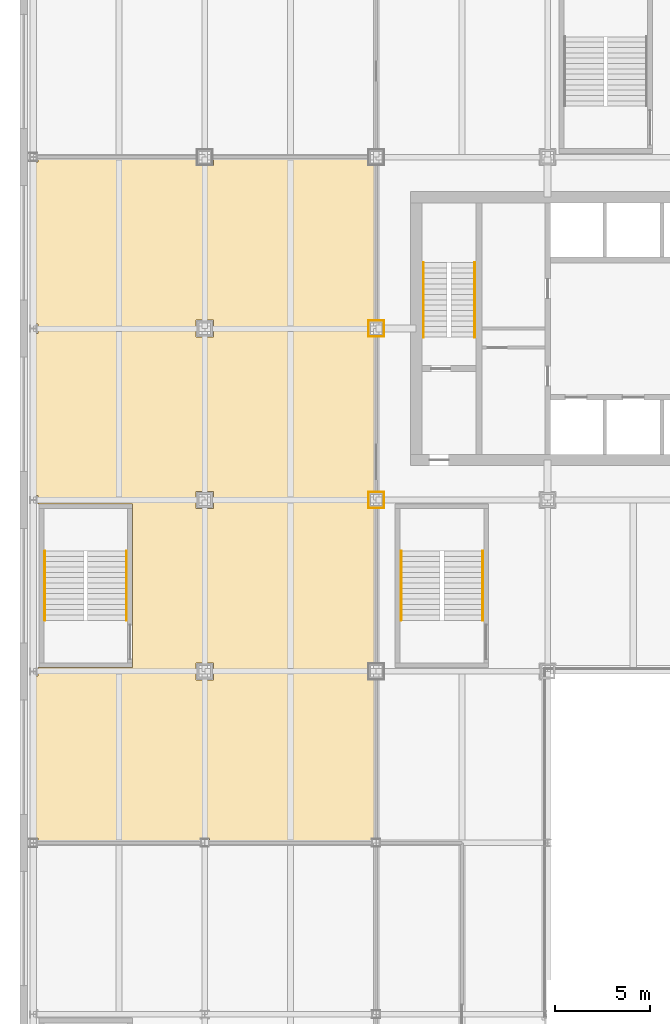
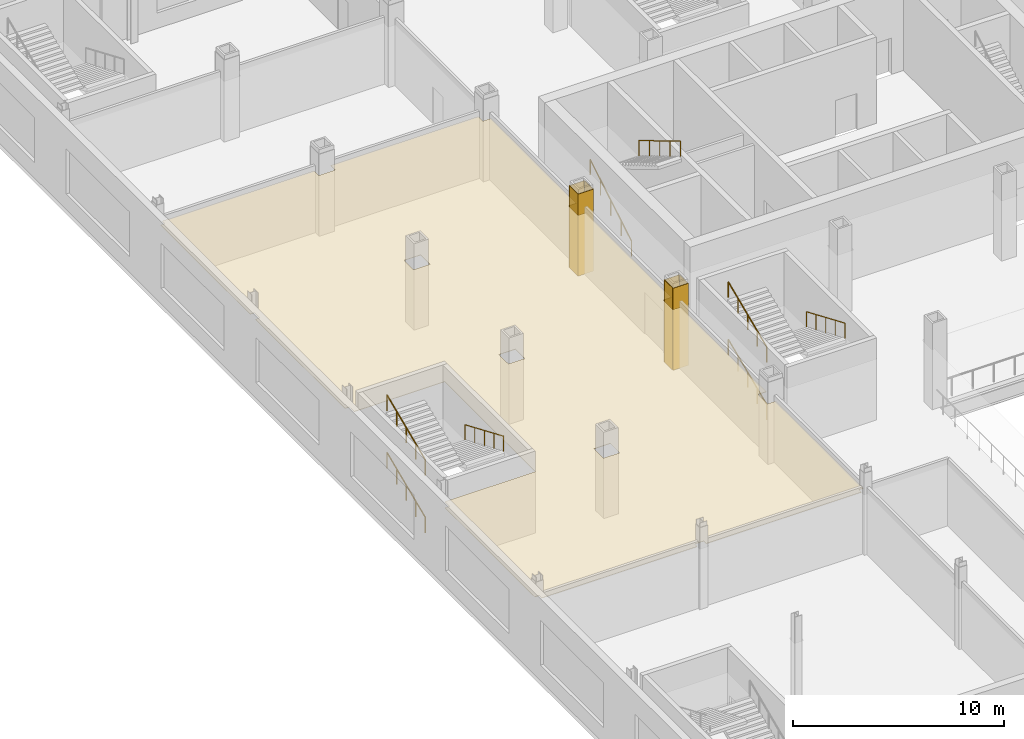
# One storey, part 24 of 31: 9 coverings, 8 railings.
"""IFC4 building model written with IfcOpenShell, lengths in metres."""

from ifc_helpers import new_model, si_unit, direction, frame, origin, origin_2d, place, context, subcontext, project, spatial, polyline, rectangle, circle, outline, extrude, material, layer, layer_set, type_object, element, save


model = new_model("IFC4")

# Units and contexts
model_context = context("Model", 3, precision=1e-05, world=origin(), true_north=direction((0.0, 1.0)))
body_context = subcontext(model_context, "Body", "Model", "MODEL_VIEW")
ifc_project = project(units=[si_unit("LENGTHUNIT", "METRE"), si_unit("AREAUNIT", "SQUARE_METRE"), si_unit("VOLUMEUNIT", "CUBIC_METRE"), si_unit("PLANEANGLEUNIT", "RADIAN"), si_unit("MASSUNIT", "GRAM", prefix="KILO")], contexts=[model_context])

# Site, building, storey
site_placement = place(None, origin())
site = spatial("IfcSite", under=ifc_project, at=site_placement, CompositionType="ELEMENT")
building_placement = place(site_placement, origin())
building = spatial("IfcBuilding", under=site, at=building_placement, Name="Loomwork Tower", CompositionType="ELEMENT")
storey_placement = place(building_placement, frame((0.0, 0.0, 11.0)))
storey = spatial("IfcBuildingStorey", under=building, at=storey_placement, Name="L02", CompositionType="ELEMENT", Elevation=11.0)

# Coverings
ifc_material_1 = material(Name="Two-hour fire-rated gypsum board casing")
ifc_layer_1 = layer(ifc_material_1, 0.02490234375)
ifc_layer_set_1 = layer_set([ifc_layer_1], Name="Column fire casing 25")
covering_type_1 = type_object("IfcCoveringType", Name="Column fire casing 25", PredefinedType="CLADDING", material=ifc_layer_set_1)
for number, where, z_axis, x_axis, name in (
    (1, (9.0, 9.41259765625, 0.0), (0.0, 0.0, 1.0), (1.0, 0.0, 0.0), "Column casing 9 9 L02"),
    (2, (9.0, 8.58740234375, 0.0), (0.0, 0.0, 1.0), (1.0, 0.0, 0.0), "Column casing 9 9 L02"),
):
    element("IfcCovering", number, at=place(storey_placement, frame(where, z_axis=z_axis, x_axis=x_axis)), inside=storey, type_object=covering_type_1, Name=name, PredefinedType="CLADDING", context=body_context, shape_type="SweptSolid", body=[
        extrude(rectangle(XDim=0.85009765625, YDim=0.02490234375, at=origin_2d()), origin(), (0.0, 0.0, 1.0), 4.75),
    ])
for number, where, z_axis, x_axis, name in (
    (3, (9.41259765625, 9.0, 0.0), (0.0, 0.0, 1.0), (1.0, 0.0, 0.0), "Column casing 9 9 L02"),
    (4, (8.58740234375, 9.0, 0.0), (0.0, 0.0, 1.0), (1.0, 0.0, 0.0), "Column casing 9 9 L02"),
):
    element("IfcCovering", number, at=place(storey_placement, frame(where, z_axis=z_axis, x_axis=x_axis)), inside=storey, type_object=covering_type_1, Name=name, PredefinedType="CLADDING", context=body_context, shape_type="SweptSolid", body=[
        extrude(rectangle(XDim=0.02490234375, YDim=0.800048828125, at=origin_2d()), origin(), (0.0, 0.0, 1.0), 4.75),
    ])
for number, where, z_axis, x_axis, name in (
    (5, (9.0, 18.41259765625, 0.0), (0.0, 0.0, 1.0), (1.0, 0.0, 0.0), "Column casing 9 18 L02"),
    (6, (9.0, 17.58740234375, 0.0), (0.0, 0.0, 1.0), (1.0, 0.0, 0.0), "Column casing 9 18 L02"),
):
    element("IfcCovering", number, at=place(storey_placement, frame(where, z_axis=z_axis, x_axis=x_axis)), inside=storey, type_object=covering_type_1, Name=name, PredefinedType="CLADDING", context=body_context, shape_type="SweptSolid", body=[
        extrude(rectangle(XDim=0.85009765625, YDim=0.02490234375, at=origin_2d()), origin(), (0.0, 0.0, 1.0), 4.75),
    ])
for number, where, z_axis, x_axis, name in (
    (7, (9.41259765625, 18.0, 0.0), (0.0, 0.0, 1.0), (1.0, 0.0, 0.0), "Column casing 9 18 L02"),
    (8, (8.58740234375, 18.0, 0.0), (0.0, 0.0, 1.0), (1.0, 0.0, 0.0), "Column casing 9 18 L02"),
):
    element("IfcCovering", number, at=place(storey_placement, frame(where, z_axis=z_axis, x_axis=x_axis)), inside=storey, type_object=covering_type_1, Name=name, PredefinedType="CLADDING", context=body_context, shape_type="SweptSolid", body=[
        extrude(rectangle(XDim=0.02490234375, YDim=0.800048828125, at=origin_2d()), origin(), (0.0, 0.0, 1.0), 4.75),
    ])

# Railings
ifc_material_2 = material(Name="Stainless steel handrail", Category="steel")
railing_type = type_object("IfcRailingType", Name="Handrail 900", PredefinedType="HANDRAIL", material=ifc_material_2)
railing_1_placement = place(storey_placement, frame((11.485107421875, 17.550048828125, 0.166748046875)))
element("IfcRailing", 9, at=railing_1_placement, inside=storey, type_object=railing_type, Name="Stair A handrail flight 1 L02", PredefinedType="HANDRAIL", context=body_context, shape_type="SweptSolid", body=[
    extrude(circle(Radius=0.02392578125, at=origin_2d()), frame((0.0, 0.0, 0.8759765625), z_axis=(0.0, 0.859296244711, 0.511478214419), x_axis=(-1.0, 0.0, 0.0)), (0.0, 0.0, 1.0), 4.561767578125),
    extrude(circle(Radius=0.02099609375, at=origin_2d()), origin(), (0.0, 0.0, 1.0), 0.851806640625),
    extrude(circle(Radius=0.02099609375, at=origin_2d()), frame((0.0, 0.97998046875, 0.583251953125)), (0.0, 0.0, 1.0), 0.851806640625),
    extrude(circle(Radius=0.02099609375, at=origin_2d()), frame((0.0, 1.9599609375, 1.16650390625)), (0.0, 0.0, 1.0), 0.851806640625),
    extrude(circle(Radius=0.02099609375, at=origin_2d()), frame((0.0, 2.93994140625, 1.75)), (0.0, 0.0, 1.0), 0.851806640625),
    extrude(circle(Radius=0.02099609375, at=origin_2d()), frame((0.0, 3.919921875, 2.333251953125)), (0.0, 0.0, 1.0), 0.851806640625),
])
railing_2_placement = place(storey_placement, frame((14.1650390625, 21.469970703125, 2.666748046875)))
element("IfcRailing", 10, at=railing_2_placement, inside=storey, type_object=railing_type, Name="Stair A handrail flight 2 L02", PredefinedType="HANDRAIL", context=body_context, shape_type="SweptSolid", body=[
    extrude(circle(Radius=0.02392578125, at=origin_2d()), frame((0.0, 0.0, 0.8759765625), z_axis=(0.0, -0.859296244711, 0.511478214419), x_axis=(1.0, 0.0, 0.0)), (0.0, 0.0, 1.0), 4.561767578125),
    extrude(circle(Radius=0.02099609375, at=origin_2d()), origin(), (0.0, 0.0, 1.0), 0.851806640625),
    extrude(circle(Radius=0.02099609375, at=origin_2d()), frame((0.0, -0.97998046875, 0.583251953125)), (0.0, 0.0, 1.0), 0.851806640625),
    extrude(circle(Radius=0.02099609375, at=origin_2d()), frame((0.0, -1.9599609375, 1.16650390625)), (0.0, 0.0, 1.0), 0.851806640625),
    extrude(circle(Radius=0.02099609375, at=origin_2d()), frame((0.0, -2.93994140625, 1.75)), (0.0, 0.0, 1.0), 0.851806640625),
    extrude(circle(Radius=0.02099609375, at=origin_2d()), frame((0.0, -3.919921875, 2.333251953125)), (0.0, 0.0, 1.0), 0.851806640625),
])
railing_3_placement = place(storey_placement, frame((-8.389892578125, 2.679931640625, 0.118896484375)))
element("IfcRailing", 11, at=railing_3_placement, inside=storey, type_object=railing_type, Name="Podium stair PS5 handrail flight 1 L02", PredefinedType="HANDRAIL", context=body_context, shape_type="SweptSolid", body=[
    extrude(circle(Radius=0.02392578125, at=origin_2d()), frame((0.0, 0.0, 0.8759765625), z_axis=(0.0, 0.920258693564, 0.391310537706), x_axis=(-1.0, 0.0, 0.0)), (0.0, 0.0, 1.0), 3.95556640625),
    extrude(circle(Radius=0.02099609375, at=origin_2d()), origin(), (0.0, 0.0, 1.0), 0.851806640625),
    extrude(circle(Radius=0.02099609375, at=origin_2d()), frame((0.0, 0.91015625, 0.386962890625)), (0.0, 0.0, 1.0), 0.851806640625),
    extrude(circle(Radius=0.02099609375, at=origin_2d()), frame((0.0, 1.820068359375, 0.77392578125)), (0.0, 0.0, 1.0), 0.851806640625),
    extrude(circle(Radius=0.02099609375, at=origin_2d()), frame((0.0, 2.72998046875, 1.160888671875)), (0.0, 0.0, 1.0), 0.851806640625),
    extrude(circle(Radius=0.02099609375, at=origin_2d()), frame((0.0, 3.64013671875, 1.5478515625)), (0.0, 0.0, 1.0), 0.851806640625),
])
railing_4_placement = place(storey_placement, frame((-4.110107421875, 6.320068359375, 1.78564453125)))
element("IfcRailing", 12, at=railing_4_placement, inside=storey, type_object=railing_type, Name="Podium stair PS5 handrail flight 2 L02", PredefinedType="HANDRAIL", context=body_context, shape_type="SweptSolid", body=[
    extrude(circle(Radius=0.02392578125, at=origin_2d()), frame((0.0, 0.0, 0.8759765625), z_axis=(0.0, -0.920258693564, 0.391310537706), x_axis=(1.0, 0.0, 0.0)), (0.0, 0.0, 1.0), 3.95556640625),
    extrude(circle(Radius=0.02099609375, at=origin_2d()), origin(), (0.0, 0.0, 1.0), 0.851806640625),
    extrude(circle(Radius=0.02099609375, at=origin_2d()), frame((0.0, -0.91015625, 0.386962890625)), (0.0, 0.0, 1.0), 0.851806640625),
    extrude(circle(Radius=0.02099609375, at=origin_2d()), frame((0.0, -1.820068359375, 0.77392578125)), (0.0, 0.0, 1.0), 0.851806640625),
    extrude(circle(Radius=0.02099609375, at=origin_2d()), frame((0.0, -2.72998046875, 1.160888671875)), (0.0, 0.0, 1.0), 0.851806640625),
    extrude(circle(Radius=0.02099609375, at=origin_2d()), frame((0.0, -3.64013671875, 1.5478515625)), (0.0, 0.0, 1.0), 0.851806640625),
])
railing_5_placement = place(storey_placement, frame((-8.389892578125, 2.679931640625, 3.452392578125)))
element("IfcRailing", 13, at=railing_5_placement, inside=storey, type_object=railing_type, Name="Podium stair PS5 handrail flight 3 L02", PredefinedType="HANDRAIL", context=body_context, shape_type="SweptSolid", body=[
    extrude(circle(Radius=0.02392578125, at=origin_2d()), frame((0.0, 0.0, 0.8759765625), z_axis=(0.0, 0.920280918742, 0.391258265855), x_axis=(-1.0, 0.0, 0.0)), (0.0, 0.0, 1.0), 3.95556640625),
    extrude(circle(Radius=0.02099609375, at=origin_2d()), origin(), (0.0, 0.0, 1.0), 0.851806640625),
    extrude(circle(Radius=0.02099609375, at=origin_2d()), frame((0.0, 0.91015625, 0.386962890625)), (0.0, 0.0, 1.0), 0.851806640625),
    extrude(circle(Radius=0.02099609375, at=origin_2d()), frame((0.0, 1.820068359375, 0.77392578125)), (0.0, 0.0, 1.0), 0.851806640625),
    extrude(circle(Radius=0.02099609375, at=origin_2d()), frame((0.0, 2.72998046875, 1.16064453125)), (0.0, 0.0, 1.0), 0.851806640625),
    extrude(circle(Radius=0.02099609375, at=origin_2d()), frame((0.0, 3.64013671875, 1.547607421875)), (0.0, 0.0, 1.0), 0.851806640625),
])
railing_6_placement = place(storey_placement, frame((10.31005859375, 2.679931640625, 0.118896484375)))
element("IfcRailing", 14, at=railing_6_placement, inside=storey, type_object=railing_type, Name="Podium stair PS12 handrail flight 1 L02", PredefinedType="HANDRAIL", context=body_context, shape_type="SweptSolid", body=[
    extrude(circle(Radius=0.02392578125, at=origin_2d()), frame((0.0, 0.0, 0.8759765625), z_axis=(0.0, 0.920258693564, 0.391310537706), x_axis=(-1.0, 0.0, 0.0)), (0.0, 0.0, 1.0), 3.95556640625),
    extrude(circle(Radius=0.02099609375, at=origin_2d()), origin(), (0.0, 0.0, 1.0), 0.851806640625),
    extrude(circle(Radius=0.02099609375, at=origin_2d()), frame((0.0, 0.91015625, 0.386962890625)), (0.0, 0.0, 1.0), 0.851806640625),
    extrude(circle(Radius=0.02099609375, at=origin_2d()), frame((0.0, 1.820068359375, 0.77392578125)), (0.0, 0.0, 1.0), 0.851806640625),
    extrude(circle(Radius=0.02099609375, at=origin_2d()), frame((0.0, 2.72998046875, 1.160888671875)), (0.0, 0.0, 1.0), 0.851806640625),
    extrude(circle(Radius=0.02099609375, at=origin_2d()), frame((0.0, 3.64013671875, 1.5478515625)), (0.0, 0.0, 1.0), 0.851806640625),
])
railing_7_placement = place(storey_placement, frame((14.590087890625, 6.320068359375, 1.78564453125)))
element("IfcRailing", 15, at=railing_7_placement, inside=storey, type_object=railing_type, Name="Podium stair PS12 handrail flight 2 L02", PredefinedType="HANDRAIL", context=body_context, shape_type="SweptSolid", body=[
    extrude(circle(Radius=0.02392578125, at=origin_2d()), frame((0.0, 0.0, 0.8759765625), z_axis=(0.0, -0.920258693564, 0.391310537706), x_axis=(1.0, 0.0, 0.0)), (0.0, 0.0, 1.0), 3.95556640625),
    extrude(circle(Radius=0.02099609375, at=origin_2d()), origin(), (0.0, 0.0, 1.0), 0.851806640625),
    extrude(circle(Radius=0.02099609375, at=origin_2d()), frame((0.0, -0.91015625, 0.386962890625)), (0.0, 0.0, 1.0), 0.851806640625),
    extrude(circle(Radius=0.02099609375, at=origin_2d()), frame((0.0, -1.820068359375, 0.77392578125)), (0.0, 0.0, 1.0), 0.851806640625),
    extrude(circle(Radius=0.02099609375, at=origin_2d()), frame((0.0, -2.72998046875, 1.160888671875)), (0.0, 0.0, 1.0), 0.851806640625),
    extrude(circle(Radius=0.02099609375, at=origin_2d()), frame((0.0, -3.64013671875, 1.5478515625)), (0.0, 0.0, 1.0), 0.851806640625),
])
railing_8_placement = place(storey_placement, frame((10.31005859375, 2.679931640625, 3.452392578125)))
element("IfcRailing", 16, at=railing_8_placement, inside=storey, type_object=railing_type, Name="Podium stair PS12 handrail flight 3 L02", PredefinedType="HANDRAIL", context=body_context, shape_type="SweptSolid", body=[
    extrude(circle(Radius=0.02392578125, at=origin_2d()), frame((0.0, 0.0, 0.8759765625), z_axis=(0.0, 0.920280918742, 0.391258265855), x_axis=(-1.0, 0.0, 0.0)), (0.0, 0.0, 1.0), 3.95556640625),
    extrude(circle(Radius=0.02099609375, at=origin_2d()), origin(), (0.0, 0.0, 1.0), 0.851806640625),
    extrude(circle(Radius=0.02099609375, at=origin_2d()), frame((0.0, 0.91015625, 0.386962890625)), (0.0, 0.0, 1.0), 0.851806640625),
    extrude(circle(Radius=0.02099609375, at=origin_2d()), frame((0.0, 1.820068359375, 0.77392578125)), (0.0, 0.0, 1.0), 0.851806640625),
    extrude(circle(Radius=0.02099609375, at=origin_2d()), frame((0.0, 2.72998046875, 1.16064453125)), (0.0, 0.0, 1.0), 0.851806640625),
    extrude(circle(Radius=0.02099609375, at=origin_2d()), frame((0.0, 3.64013671875, 1.547607421875)), (0.0, 0.0, 1.0), 0.851806640625),
])

# Covering
ifc_material_3 = material(Name="Mineral fibre acoustic tile on suspension grid")
ifc_layer_2 = layer(ifc_material_3, 0.02490234375)
ifc_layer_set_2 = layer_set([ifc_layer_2], Name="Suspended acoustic ceiling")
covering_type_2 = type_object("IfcCoveringType", Name="Suspended acoustic ceiling", PredefinedType="CEILING", material=ifc_layer_set_2)
covering_placement = place(storey_placement, frame((0.0, 0.0, 3.52490234375)))
element("IfcCovering", 17, at=covering_placement, inside=storey, type_object=covering_type_2, Name="Ceiling Junior ballroom L02", PredefinedType="CEILING", context=body_context, shape_type="SweptSolid", body=[
    extrude(outline(polyline([(-3.800048828125, 0.199951171875), (-3.800048828125, 8.800048828125), (-8.761962890625, 8.800048828125), (-8.761962890625, 9.246826171875), (-9.0, 9.246826171875), (-9.0, 17.753173828125), (-8.761962890625, 17.753173828125), (-8.761962890625, 18.246826171875), (-9.0, 18.246826171875), (-9.0, 26.753173828125), (-8.761962890625, 26.753173828125), (-8.761962890625, 27.0), (-0.449951171875, 27.0), (-0.449951171875, 26.550048828125), (0.449951171875, 26.550048828125), (0.449951171875, 27.0), (8.550048828125, 27.0), (8.550048828125, 26.550048828125), (9.0, 26.550048828125), (9.0, 18.449951171875), (8.550048828125, 18.449951171875), (8.550048828125, 17.550048828125), (9.0, 17.550048828125), (9.0, 9.449951171875), (8.550048828125, 9.449951171875), (8.550048828125, 8.550048828125), (9.0, 8.550048828125), (9.0, 0.449951171875), (8.550048828125, 0.449951171875), (8.550048828125, -0.449951171875), (9.0, -0.449951171875), (9.0, -8.761962890625), (8.753173828125, -8.761962890625), (8.753173828125, -9.0), (0.246826171875, -9.0), (0.246826171875, -8.761962890625), (-0.246826171875, -8.761962890625), (-0.246826171875, -9.0), (-8.761962890625, -9.0), (-8.761962890625, -8.753173828125), (-9.0, -8.753173828125), (-9.0, -0.246826171875), (-8.761962890625, -0.246826171875), (-8.761962890625, 0.199951171875), (-3.800048828125, 0.199951171875)]), holes=[polyline([(-0.449951171875, -0.449951171875), (0.449951171875, -0.449951171875), (0.449951171875, 0.449951171875), (-0.449951171875, 0.449951171875), (-0.449951171875, -0.449951171875)]), polyline([(-0.449951171875, 8.550048828125), (0.449951171875, 8.550048828125), (0.449951171875, 9.449951171875), (-0.449951171875, 9.449951171875), (-0.449951171875, 8.550048828125)]), polyline([(-0.449951171875, 17.550048828125), (0.449951171875, 17.550048828125), (0.449951171875, 18.449951171875), (-0.449951171875, 18.449951171875), (-0.449951171875, 17.550048828125)])]), origin(), (0.0, 0.0, 1.0), 0.025146484375),
])

save(model, "model.ifc")
